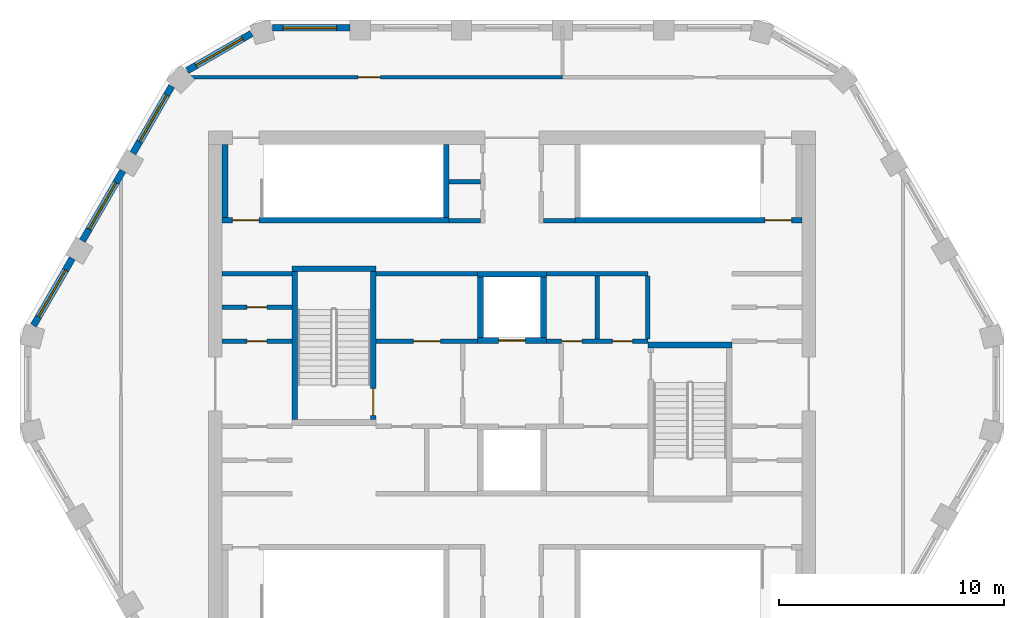
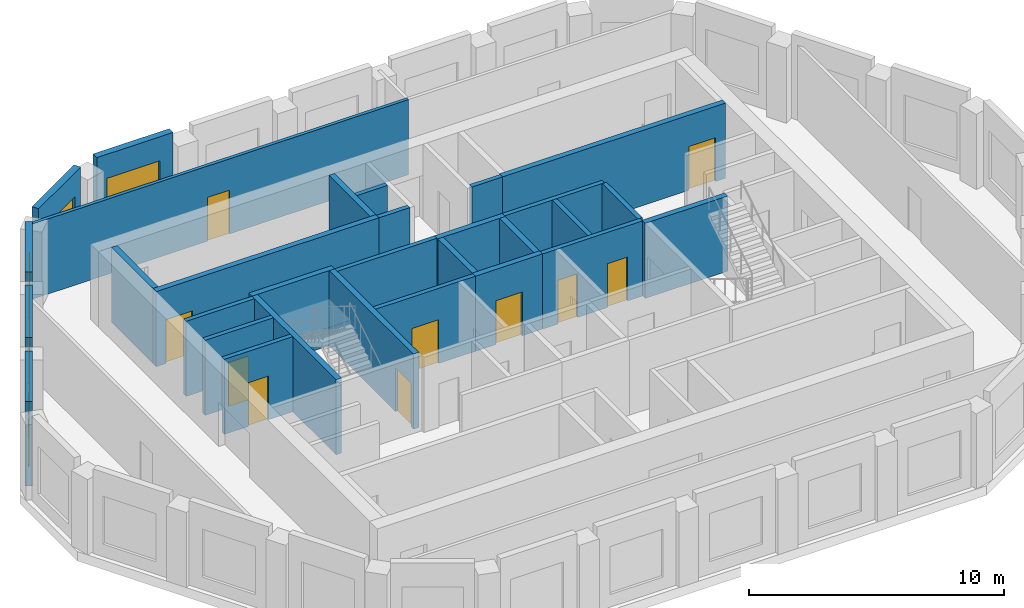
# One storey, part 3 of 6: 30 walls, 10 doors, 5 windows, 15 openings.
"""IFC4 building model written with IfcOpenShell, lengths in metres."""

from ifc_helpers import new_model, si_unit, direction, frame, frame_2d, origin, place, context, subcontext, project, spatial, polyline, rectangle, outline, extrude, material, layer, layer_set, type_object, element, fill, save


model = new_model("IFC4")

# Units and contexts
model_context = context("Model", 3, precision=1e-05, world=origin(), true_north=direction((0.0, 1.0)))
body_context = subcontext(model_context, "Body", "Model", "MODEL_VIEW")
ifc_project = project(units=[si_unit("LENGTHUNIT", "METRE"), si_unit("AREAUNIT", "SQUARE_METRE"), si_unit("VOLUMEUNIT", "CUBIC_METRE"), si_unit("PLANEANGLEUNIT", "RADIAN"), si_unit("MASSUNIT", "GRAM", prefix="KILO")], contexts=[model_context])

# Site, building, storey
site_placement = place(None, origin())
site = spatial("IfcSite", under=ifc_project, at=site_placement, CompositionType="ELEMENT")
building_placement = place(site_placement, origin())
building = spatial("IfcBuilding", under=site, at=building_placement, Name="Dhurran Vertical Campus", CompositionType="ELEMENT")
storey_placement = place(building_placement, frame((0.0, 0.0, 318.89990234375)))
storey = spatial("IfcBuildingStorey", under=building, at=storey_placement, Name="L78 Plant", CompositionType="ELEMENT", Elevation=318.89990234375)

# Wall, opening, window
ifc_material_1 = material(Name="Precast concrete C50/60", Category="concrete")
ifc_layer_1 = layer(ifc_material_1, 0.300048828125)
ifc_layer_set_1 = layer_set([ifc_layer_1], Name="Precast concrete C50/60")
wall_type_1 = type_object("IfcWallType", Name="Precast louvre-bay wall 300", PredefinedType="SOLIDWALL", material=ifc_layer_set_1)
wall_1_placement = place(storey_placement, frame((-7.200439453125, 15.84130859375, 0.0), z_axis=(0.0, 0.0, 1.0), x_axis=(-1.0, 0.0, 0.0)))
wall_1 = element("IfcWall", 1, at=wall_1_placement, inside=storey, type_object=wall_type_1, Name="EW3 L78.18", PredefinedType="SOLIDWALL", context=body_context, shape_type="SweptSolid", body=[
    extrude(rectangle(XDim=3.449462890625, YDim=0.300048828125, at=frame_2d((1.724609375, 0.0))), origin(), (0.0, 0.0, 1.0), 4.050048828125),
])
opening_1_placement = place(wall_1_placement, frame((0.599609375, 0.0, 0.60009765625)))
opening_1 = element("IfcOpeningElement", 2, at=opening_1_placement, cuts=wall_1, Name="Opening WT4", PredefinedType="OPENING", context=body_context, shape_type="SweptSolid", body=[
    extrude(rectangle(XDim=2.39990234375, YDim=2.300048828125, at=frame_2d((1.199951171875, 1.14990234375))), frame((0.0, 0.159912109375, 0.0), z_axis=(0.0, -1.0, 0.0), x_axis=(1.0, 0.0, 0.0)), (0.0, 0.0, 1.0), 0.320068359375),
])
ifc_material_2 = material(Name="Aluminium louvre", Category="aluminium")
window_type = type_object("IfcWindowType", Name="Louvred plant vent 2400 x 2300", PartitioningType="SINGLE_PANEL", PredefinedType="WINDOW", material=ifc_material_2)
window_1_placement = place(opening_1_placement, origin())
window_1 = element("IfcWindow", 3, at=window_1_placement, inside=storey, type_object=window_type, Name="WT4 L78.18", OverallHeight=2.300048828125, OverallWidth=2.39990234375, PartitioningType="SINGLE_PANEL", PredefinedType="WINDOW", context=body_context, shape_type="SweptSolid", body=[
    extrude(rectangle(XDim=2.39990234375, YDim=2.300048828125, at=frame_2d((1.199951171875, 1.14990234375))), frame((0.0, 0.030029296875, 0.0), z_axis=(0.0, -1.0, 0.0), x_axis=(1.0, 0.0, 0.0)), (0.0, 0.0, 1.0), 0.06005859375),
])
fill(opening_1, window_1)

wall_2_placement = place(storey_placement, frame((-11.5947265625, 15.588134765625, 0.0), z_axis=(0.0, 0.0, 1.0), x_axis=(-0.866021716278, -0.500006386895, 0.0)))
wall_2 = element("IfcWall", 4, at=wall_2_placement, inside=storey, type_object=wall_type_1, Name="EW3 L78.19", PredefinedType="SOLIDWALL", context=body_context, shape_type="SweptSolid", body=[
    extrude(rectangle(XDim=3.2998046875, YDim=0.300048828125, at=frame_2d((1.64990234375, 0.0))), origin(), (0.0, 0.0, 1.0), 4.050048828125),
])
opening_2_placement = place(wall_2_placement, frame((0.449951171875, 0.0, 0.60009765625)))
opening_2 = element("IfcOpeningElement", 5, at=opening_2_placement, cuts=wall_2, Name="Opening WT4", PredefinedType="OPENING", context=body_context, shape_type="SweptSolid", body=[
    extrude(rectangle(XDim=2.39990234375, YDim=2.300048828125, at=frame_2d((1.199951171875, 1.14990234375))), frame((0.0, 0.159912109375, 0.0), z_axis=(0.0, -1.0, 0.0), x_axis=(1.0, 0.0, 0.0)), (0.0, 0.0, 1.0), 0.320068359375),
])
window_2_placement = place(opening_2_placement, origin())
window_2 = element("IfcWindow", 6, at=window_2_placement, inside=storey, type_object=window_type, Name="WT4 L78.19", OverallHeight=2.300048828125, OverallWidth=2.39990234375, PartitioningType="SINGLE_PANEL", PredefinedType="WINDOW", context=body_context, shape_type="SweptSolid", body=[
    extrude(rectangle(XDim=2.39990234375, YDim=2.300048828125, at=frame_2d((1.199951171875, 1.14990234375))), frame((0.0, 0.030029296875, 0.0), z_axis=(0.0, -1.0, 0.0), x_axis=(1.0, 0.0, 0.0)), (0.0, 0.0, 1.0), 0.06005859375),
])
fill(opening_2, window_2)

wall_3_placement = place(storey_placement, frame((-15.14404296875, 13.24658203125, 0.0), z_axis=(0.0, 0.0, 1.0), x_axis=(-0.500059425018, -0.865991092016, 0.0)))
wall_3 = element("IfcWall", 7, at=wall_3_placement, inside=storey, type_object=wall_type_1, Name="EW3 L78.20", PredefinedType="SOLIDWALL", context=body_context, shape_type="SweptSolid", body=[
    extrude(rectangle(XDim=3.44921875, YDim=0.300048828125, at=frame_2d((1.724609375, 0.0))), origin(), (0.0, 0.0, 1.0), 4.050048828125),
])
opening_3_placement = place(wall_3_placement, frame((0.449951171875, 0.0, 0.60009765625)))
opening_3 = element("IfcOpeningElement", 8, at=opening_3_placement, cuts=wall_3, Name="Opening WT4", PredefinedType="OPENING", context=body_context, shape_type="SweptSolid", body=[
    extrude(rectangle(XDim=2.39990234375, YDim=2.300048828125, at=frame_2d((1.199951171875, 1.14990234375))), frame((0.0, 0.159912109375, 0.0), z_axis=(0.0, -1.0, 0.0), x_axis=(1.0, 0.0, 0.0)), (0.0, 0.0, 1.0), 0.320068359375),
])
window_3_placement = place(opening_3_placement, origin())
window_3 = element("IfcWindow", 9, at=window_3_placement, inside=storey, type_object=window_type, Name="WT4 L78.20", OverallHeight=2.300048828125, OverallWidth=2.39990234375, PartitioningType="SINGLE_PANEL", PredefinedType="WINDOW", context=body_context, shape_type="SweptSolid", body=[
    extrude(rectangle(XDim=2.39990234375, YDim=2.300048828125, at=frame_2d((1.199951171875, 1.14990234375))), frame((0.0, 0.030029296875, 0.0), z_axis=(0.0, -1.0, 0.0), x_axis=(1.0, 0.0, 0.0)), (0.0, 0.0, 1.0), 0.06005859375),
])
fill(opening_3, window_3)

wall_4_placement = place(storey_placement, frame((-17.3193359375, 9.47900390625, 0.0), z_axis=(0.0, 0.0, 1.0), x_axis=(-0.500027802648, -0.866009351323, 0.0)))
wall_4 = element("IfcWall", 10, at=wall_4_placement, inside=storey, type_object=wall_type_1, Name="EW3 L78.21", PredefinedType="SOLIDWALL", context=body_context, shape_type="SweptSolid", body=[
    extrude(rectangle(XDim=3.598876953125, YDim=0.300048828125, at=frame_2d((1.79931640625, 0.0))), origin(), (0.0, 0.0, 1.0), 4.050048828125),
])
opening_4_placement = place(wall_4_placement, frame((0.599609375, 0.0, 0.60009765625)))
opening_4 = element("IfcOpeningElement", 11, at=opening_4_placement, cuts=wall_4, Name="Opening WT4", PredefinedType="OPENING", context=body_context, shape_type="SweptSolid", body=[
    extrude(rectangle(XDim=2.39990234375, YDim=2.300048828125, at=frame_2d((1.199951171875, 1.14990234375))), frame((0.0, 0.159912109375, 0.0), z_axis=(0.0, -1.0, 0.0), x_axis=(1.0, 0.0, 0.0)), (0.0, 0.0, 1.0), 0.320068359375),
])
window_4_placement = place(opening_4_placement, origin())
window_4 = element("IfcWindow", 12, at=window_4_placement, inside=storey, type_object=window_type, Name="WT4 L78.21", OverallHeight=2.300048828125, OverallWidth=2.39990234375, PartitioningType="SINGLE_PANEL", PredefinedType="WINDOW", context=body_context, shape_type="SweptSolid", body=[
    extrude(rectangle(XDim=2.39990234375, YDim=2.300048828125, at=frame_2d((1.199951171875, 1.14990234375))), frame((0.0, 0.030029296875, 0.0), z_axis=(0.0, -1.0, 0.0), x_axis=(1.0, 0.0, 0.0)), (0.0, 0.0, 1.0), 0.06005859375),
])
fill(opening_4, window_4)

wall_5_placement = place(storey_placement, frame((-19.5693359375, 5.58203125, 0.0), z_axis=(0.0, 0.0, 1.0), x_axis=(-0.499975693202, -0.866039436866, 0.0)))
wall_5 = element("IfcWall", 13, at=wall_5_placement, inside=storey, type_object=wall_type_1, Name="EW3 L78.22", PredefinedType="SOLIDWALL", context=body_context, shape_type="SweptSolid", body=[
    extrude(rectangle(XDim=3.449462890625, YDim=0.300048828125, at=frame_2d((1.724609375, 0.0))), origin(), (0.0, 0.0, 1.0), 4.050048828125),
])
opening_5_placement = place(wall_5_placement, frame((0.599609375, 0.0, 0.60009765625)))
opening_5 = element("IfcOpeningElement", 14, at=opening_5_placement, cuts=wall_5, Name="Opening WT4", PredefinedType="OPENING", context=body_context, shape_type="SweptSolid", body=[
    extrude(rectangle(XDim=2.39990234375, YDim=2.300048828125, at=frame_2d((1.199951171875, 1.14990234375))), frame((0.0, 0.159912109375, 0.0), z_axis=(0.0, -1.0, 0.0), x_axis=(1.0, 0.0, 0.0)), (0.0, 0.0, 1.0), 0.320068359375),
])
window_5_placement = place(opening_5_placement, origin())
window_5 = element("IfcWindow", 15, at=window_5_placement, inside=storey, type_object=window_type, Name="WT4 L78.22", OverallHeight=2.300048828125, OverallWidth=2.39990234375, PartitioningType="SINGLE_PANEL", PredefinedType="WINDOW", context=body_context, shape_type="SweptSolid", body=[
    extrude(rectangle(XDim=2.39990234375, YDim=2.300048828125, at=frame_2d((1.199951171875, 1.14990234375))), frame((0.0, 0.030029296875, 0.0), z_axis=(0.0, -1.0, 0.0), x_axis=(1.0, 0.0, 0.0)), (0.0, 0.0, 1.0), 0.06005859375),
])
fill(opening_5, window_5)

# Walls
ifc_material_3 = material(Name="Fire-rated masonry blockwork", Category="masonry")
ifc_layer_2 = layer(ifc_material_3, 0.199951171875)
ifc_layer_set_2 = layer_set([ifc_layer_2], Name="Fire-rated masonry blockwork")
wall_type_2 = type_object("IfcWallType", Name="co-FIRE-PARTITION-200", PredefinedType="PARTITIONING", material=ifc_layer_set_2)
for number, where, z_axis, x_axis, name in (
    (16, (-2.800048828125, 7.25, 0.0), (0.0, 0.0, 1.0), (1.0, 0.0, 0.0), "Core partition sl-NW-S L78"),
    (17, (-2.800048828125, 9.0, 0.0), (0.0, 0.0, 1.0), (1.0, 0.0, 0.0), "Core partition sl-NW-cut0 L78"),
    (18, (1.39990234375, 7.25, 0.0), (0.0, 0.0, 1.0), (1.0, 0.0, 0.0), "Core partition sl-NE-S L78"),
):
    element("IfcWall", number, at=place(storey_placement, frame(where, z_axis=z_axis, x_axis=x_axis)), inside=storey, type_object=wall_type_2, Name=name, PredefinedType="PARTITIONING", context=body_context, shape_type="SweptSolid", body=[
        extrude(rectangle(XDim=1.400146484375, YDim=0.199951171875, at=frame_2d((0.7001953125, 0.0))), origin(), (0.0, 0.0, 1.0), 3.60009765625),
    ])

# Wall, opening, door
wall_6_placement = place(storey_placement, frame((-12.89990234375, 3.39990234375, 0.0), z_axis=(0.0, 0.0, 1.0), x_axis=(1.0, 0.0, 0.0)))
wall_6 = element("IfcWall", 19, at=wall_6_placement, inside=storey, type_object=wall_type_2, Name="Core partition fr-N0-c L78", PredefinedType="PARTITIONING", context=body_context, shape_type="SweptSolid", body=[
    extrude(rectangle(XDim=3.099853515625, YDim=0.199951171875, at=frame_2d((1.5498046875, 0.0))), origin(), (0.0, 0.0, 1.0), 3.60009765625),
])
opening_6_placement = place(wall_6_placement, frame((1.10009765625, 0.0, 0.0)))
opening_6 = element("IfcOpeningElement", 20, at=opening_6_placement, cuts=wall_6, Name="Opening CR78-C6", PredefinedType="OPENING", context=body_context, shape_type="SweptSolid", body=[
    extrude(rectangle(XDim=0.89990234375, YDim=2.10009765625, at=frame_2d((0.449951171875, 1.050048828125))), frame((0.0, 0.10986328125, 0.0), z_axis=(0.0, -1.0, 0.0), x_axis=(1.0, 0.0, 0.0)), (0.0, 0.0, 1.0), 0.219970703125),
])
ifc_material_4 = material(Name="Fire-rated timber door set", Category="wood")
door_type_1 = type_object("IfcDoorType", Name="co-D-ROOM 900x2100", OperationType="SINGLE_SWING_LEFT", PredefinedType="DOOR", material=ifc_material_4)
door_1_placement = place(opening_6_placement, origin())
door_1 = element("IfcDoor", 21, at=door_1_placement, inside=storey, type_object=door_type_1, Name="Housekeeping store door L78", OperationType="SINGLE_SWING_LEFT", OverallHeight=2.10009765625, OverallWidth=0.89990234375, PredefinedType="DOOR", context=body_context, shape_type="SweptSolid", body=[
    extrude(rectangle(XDim=0.89990234375, YDim=2.10009765625, at=frame_2d((0.449951171875, 1.050048828125))), frame((0.0, 0.02490234375, 0.0), z_axis=(0.0, -1.0, 0.0), x_axis=(1.0, 0.0, 0.0)), (0.0, 0.0, 1.0), 0.050048828125),
])
fill(opening_6, door_1)

wall_7_placement = place(storey_placement, frame((-12.89990234375, 1.89990234375, 0.0), z_axis=(0.0, 0.0, 1.0), x_axis=(1.0, 0.0, 0.0)))
wall_7 = element("IfcWall", 22, at=wall_7_placement, inside=storey, type_object=wall_type_2, Name="Core partition fr-N0-f L78", PredefinedType="PARTITIONING", context=body_context, shape_type="SweptSolid", body=[
    extrude(rectangle(XDim=3.099853515625, YDim=0.199951171875, at=frame_2d((1.5498046875, 0.0))), origin(), (0.0, 0.0, 1.0), 3.60009765625),
])
opening_7_placement = place(wall_7_placement, frame((1.10009765625, 0.0, 0.0)))
opening_7 = element("IfcOpeningElement", 23, at=opening_7_placement, cuts=wall_7, Name="Opening CR78-C7", PredefinedType="OPENING", context=body_context, shape_type="SweptSolid", body=[
    extrude(rectangle(XDim=0.89990234375, YDim=2.10009765625, at=frame_2d((0.449951171875, 1.050048828125))), frame((0.0, 0.10986328125, 0.0), z_axis=(0.0, -1.0, 0.0), x_axis=(1.0, 0.0, 0.0)), (0.0, 0.0, 1.0), 0.219970703125),
])
door_2_placement = place(opening_7_placement, origin())
door_2 = element("IfcDoor", 24, at=door_2_placement, inside=storey, type_object=door_type_1, Name="Cleaner's store door L78", OperationType="SINGLE_SWING_LEFT", OverallHeight=2.10009765625, OverallWidth=0.89990234375, PredefinedType="DOOR", context=body_context, shape_type="SweptSolid", body=[
    extrude(rectangle(XDim=0.89990234375, YDim=2.10009765625, at=frame_2d((0.449951171875, 1.050048828125))), frame((0.0, 0.02490234375, 0.0), z_axis=(0.0, -1.0, 0.0), x_axis=(1.0, 0.0, 0.0)), (0.0, 0.0, 1.0), 0.050048828125),
])
fill(opening_7, door_2)

# Wall
wall_8_placement = place(storey_placement, frame((-12.89990234375, 4.89990234375, 0.0), z_axis=(0.0, 0.0, 1.0), x_axis=(1.0, 0.0, 0.0)))
element("IfcWall", 25, at=wall_8_placement, inside=storey, type_object=wall_type_2, Name="Core partition fr-N0-b L78", PredefinedType="PARTITIONING", context=body_context, shape_type="SweptSolid", body=[
    extrude(rectangle(XDim=3.099853515625, YDim=0.199951171875, at=frame_2d((1.5498046875, 0.0))), origin(), (0.0, 0.0, 1.0), 3.60009765625),
])

# Wall, opening, door
wall_9_placement = place(storey_placement, frame((-6.050048828125, 1.89990234375, 0.0), z_axis=(0.0, 0.0, 1.0), x_axis=(1.0, 0.0, 0.0)))
wall_9 = element("IfcWall", 26, at=wall_9_placement, inside=storey, type_object=wall_type_2, Name="Core partition fr-N1-f L78", PredefinedType="PARTITIONING", context=body_context, shape_type="SweptSolid", body=[
    extrude(rectangle(XDim=4.525146484375, YDim=0.199951171875, at=frame_2d((2.2626953125, 0.0))), origin(), (0.0, 0.0, 1.0), 3.60009765625),
])
opening_8_placement = place(wall_9_placement, frame((1.66259765625, 0.0, 0.0)))
opening_8 = element("IfcOpeningElement", 27, at=opening_8_placement, cuts=wall_9, Name="Opening CR78-C8", PredefinedType="OPENING", context=body_context, shape_type="SweptSolid", body=[
    extrude(rectangle(XDim=1.199951171875, YDim=2.10009765625, at=frame_2d((0.60009765625, 1.050048828125))), frame((0.0, 0.10986328125, 0.0), z_axis=(0.0, -1.0, 0.0), x_axis=(1.0, 0.0, 0.0)), (0.0, 0.0, 1.0), 0.219970703125),
])
ifc_material_5 = material(Name="Fire-rated steel door set", Category="steel")
door_type_2 = type_object("IfcDoorType", Name="co-D-ROOM-PASSAGE 1200x2100", OperationType="SINGLE_SWING_RIGHT", PredefinedType="DOOR", material=ifc_material_5)
door_3_placement = place(opening_8_placement, origin())
door_3 = element("IfcDoor", 28, at=door_3_placement, inside=storey, type_object=door_type_2, Name="Plant room door L78", OperationType="SINGLE_SWING_RIGHT", OverallHeight=2.10009765625, OverallWidth=1.199951171875, PredefinedType="DOOR", context=body_context, shape_type="SweptSolid", body=[
    extrude(rectangle(XDim=1.199951171875, YDim=2.10009765625, at=frame_2d((0.60009765625, 1.050048828125))), frame((0.0, 0.02490234375, 0.0), z_axis=(0.0, -1.0, 0.0), x_axis=(1.0, 0.0, 0.0)), (0.0, 0.0, 1.0), 0.050048828125),
])
fill(opening_8, door_3)

# Walls
wall_10_placement = place(storey_placement, frame((-6.050048828125, 4.89990234375, 0.0), z_axis=(0.0, 0.0, 1.0), x_axis=(1.0, 0.0, 0.0)))
element("IfcWall", 29, at=wall_10_placement, inside=storey, type_object=wall_type_2, Name="Core partition fr-N1-b L78", PredefinedType="PARTITIONING", context=body_context, shape_type="SweptSolid", body=[
    extrude(rectangle(XDim=4.525146484375, YDim=0.199951171875, at=frame_2d((2.2626953125, 0.0))), origin(), (0.0, 0.0, 1.0), 3.60009765625),
])
wall_11_placement = place(storey_placement, frame((3.78759765625, 2.0, 0.0), z_axis=(0.0, 0.0, 1.0), x_axis=(0.0, 1.0, 0.0)))
element("IfcWall", 30, at=wall_11_placement, inside=storey, type_object=wall_type_2, Name="Core partition fr-N2-cut0 L78", PredefinedType="PARTITIONING", context=body_context, shape_type="SweptSolid", body=[
    extrude(rectangle(XDim=2.800048828125, YDim=0.199951171875, at=frame_2d((1.39990234375, 0.0))), origin(), (0.0, 0.0, 1.0), 3.60009765625),
])

# Wall, openings, doors
wall_12_placement = place(storey_placement, frame((1.52490234375, 1.89990234375, 0.0), z_axis=(0.0, 0.0, 1.0), x_axis=(1.0, 0.0, 0.0)))
wall_12 = element("IfcWall", 31, at=wall_12_placement, inside=storey, type_object=wall_type_2, Name="Core partition fr-N2-f L78", PredefinedType="PARTITIONING", context=body_context, shape_type="SweptSolid", body=[
    extrude(rectangle(XDim=4.525146484375, YDim=0.199951171875, at=frame_2d((2.2626953125, 0.0))), origin(), (0.0, 0.0, 1.0), 3.60009765625),
])
opening_9_placement = place(wall_12_placement, frame((0.68115234375, 0.0, 0.0)))
opening_9 = element("IfcOpeningElement", 32, at=opening_9_placement, cuts=wall_12, Name="Opening CR78-C9", PredefinedType="OPENING", context=body_context, shape_type="SweptSolid", body=[
    extrude(rectangle(XDim=0.89990234375, YDim=2.10009765625, at=frame_2d((0.449951171875, 1.050048828125))), frame((0.0, 0.10986328125, 0.0), z_axis=(0.0, -1.0, 0.0), x_axis=(1.0, 0.0, 0.0)), (0.0, 0.0, 1.0), 0.219970703125),
])
opening_10_placement = place(wall_12_placement, frame((2.94384765625, 0.0, 0.0)))
opening_10 = element("IfcOpeningElement", 33, at=opening_10_placement, cuts=wall_12, Name="Opening CR78-C10", PredefinedType="OPENING", context=body_context, shape_type="SweptSolid", body=[
    extrude(rectangle(XDim=0.89990234375, YDim=2.10009765625, at=frame_2d((0.449951171875, 1.050048828125))), frame((0.0, 0.10986328125, 0.0), z_axis=(0.0, -1.0, 0.0), x_axis=(1.0, 0.0, 0.0)), (0.0, 0.0, 1.0), 0.219970703125),
])
door_4_placement = place(opening_9_placement, origin())
door_4 = element("IfcDoor", 34, at=door_4_placement, inside=storey, type_object=door_type_1, Name="Print room door L78", OperationType="SINGLE_SWING_LEFT", OverallHeight=2.10009765625, OverallWidth=0.89990234375, PredefinedType="DOOR", context=body_context, shape_type="SweptSolid", body=[
    extrude(rectangle(XDim=0.89990234375, YDim=2.10009765625, at=frame_2d((0.449951171875, 1.050048828125))), frame((0.0, 0.02490234375, 0.0), z_axis=(0.0, -1.0, 0.0), x_axis=(1.0, 0.0, 0.0)), (0.0, 0.0, 1.0), 0.050048828125),
])
fill(opening_9, door_4)
door_5_placement = place(opening_10_placement, origin())
door_5 = element("IfcDoor", 35, at=door_5_placement, inside=storey, type_object=door_type_1, Name="Electrical riser door L78", OperationType="SINGLE_SWING_LEFT", OverallHeight=2.10009765625, OverallWidth=0.89990234375, PredefinedType="DOOR", context=body_context, shape_type="SweptSolid", body=[
    extrude(rectangle(XDim=0.89990234375, YDim=2.10009765625, at=frame_2d((0.449951171875, 1.050048828125))), frame((0.0, 0.02490234375, 0.0), z_axis=(0.0, -1.0, 0.0), x_axis=(1.0, 0.0, 0.0)), (0.0, 0.0, 1.0), 0.050048828125),
])
fill(opening_10, door_5)

# Walls
wall_13_placement = place(storey_placement, frame((1.52490234375, 4.89990234375, 0.0), z_axis=(0.0, 0.0, 1.0), x_axis=(1.0, 0.0, 0.0)))
element("IfcWall", 36, at=wall_13_placement, inside=storey, type_object=wall_type_2, Name="Core partition fr-N2-b L78", PredefinedType="PARTITIONING", context=body_context, shape_type="SweptSolid", body=[
    extrude(rectangle(XDim=4.525146484375, YDim=0.199951171875, at=frame_2d((2.2626953125, 0.0))), origin(), (0.0, 0.0, 1.0), 3.60009765625),
])
wall_14_placement = place(storey_placement, frame((6.050048828125, 2.0009765625, 0.0), z_axis=(0.0, 0.0, 1.0), x_axis=(0.0, 1.0, 0.0)))
element("IfcWall", 37, at=wall_14_placement, inside=storey, type_object=wall_type_2, Name="Riser enclosure wall L78", PredefinedType="PARTITIONING", context=body_context, shape_type="SweptSolid", body=[
    extrude(rectangle(XDim=2.798095703125, YDim=0.199951171875, at=frame_2d((1.39892578125, 0.0))), origin(), (0.0, 0.0, 1.0), 3.60009765625),
])

# Wall, opening, door
ifc_material_6 = material(Name="Concrete C50/60", Category="concrete")
ifc_layer_3 = layer(ifc_material_6, 0.25)
ifc_layer_set_3 = layer_set([ifc_layer_3], Name="Concrete C50/60")
wall_type_3 = type_object("IfcWallType", Name="co-SHAFT-FRONT-250", PredefinedType="SHEAR", material=ifc_layer_set_3)
wall_15_placement = place(storey_placement, frame((-1.52490234375, 1.925048828125, 0.0), z_axis=(0.0, 0.0, 1.0), x_axis=(1.0, 0.0, 0.0)))
wall_15 = element("IfcWall", 38, at=wall_15_placement, inside=storey, type_object=wall_type_3, Name="Lift landing wall N L78", PredefinedType="SHEAR", context=body_context, shape_type="SweptSolid", body=[
    extrude(rectangle(XDim=3.0498046875, YDim=0.25, at=frame_2d((1.52490234375, 0.0))), origin(), (0.0, 0.0, 1.0), 3.60009765625),
])
opening_11_placement = place(wall_15_placement, frame((0.925048828125, 0.0, 0.0)))
opening_11 = element("IfcOpeningElement", 39, at=opening_11_placement, cuts=wall_15, Name="Opening LD", PredefinedType="OPENING", context=body_context, shape_type="SweptSolid", body=[
    extrude(rectangle(XDim=1.199951171875, YDim=2.10009765625, at=frame_2d((0.60009765625, 1.050048828125))), frame((0.0, 0.135009765625, 0.0), z_axis=(0.0, -1.0, 0.0), x_axis=(1.0, 0.0, 0.0)), (0.0, 0.0, 1.0), 0.27001953125),
])
ifc_material_7 = material(Name="Stainless steel landing door", Category="steel")
door_type_3 = type_object("IfcDoorType", Name="co-D-LANDING 1200x2100", OperationType="DOUBLE_DOOR_SLIDING", PredefinedType="DOOR", material=ifc_material_7)
door_6_placement = place(opening_11_placement, origin())
door_6 = element("IfcDoor", 40, at=door_6_placement, inside=storey, type_object=door_type_3, Name="Landing door FF1 L78", OperationType="DOUBLE_DOOR_SLIDING", OverallHeight=2.10009765625, OverallWidth=1.199951171875, PredefinedType="DOOR", context=body_context, shape_type="SweptSolid", body=[
    extrude(rectangle(XDim=1.199951171875, YDim=2.10009765625, at=frame_2d((0.60009765625, 1.050048828125))), frame((0.0, 0.02490234375, 0.0), z_axis=(0.0, -1.0, 0.0), x_axis=(1.0, 0.0, 0.0)), (0.0, 0.0, 1.0), 0.050048828125),
])
fill(opening_11, door_6)

# Walls
ifc_material_8 = material(Name="Concrete C50/60", Category="concrete")
ifc_layer_4 = layer(ifc_material_8, 0.25)
ifc_layer_set_4 = layer_set([ifc_layer_4], Name="Concrete C50/60")
wall_type_4 = type_object("IfcWallType", Name="co-SHAFT-MASS-250", PredefinedType="SHEAR", material=ifc_layer_set_4)
wall_16_placement = place(storey_placement, origin())
element("IfcWall", 41, at=wall_16_placement, inside=storey, type_object=wall_type_4, Name="Lift shaft wall N L78 1", PredefinedType="SHEAR", context=body_context, shape_type="SweptSolid", body=[
    extrude(outline(polyline([(-1.52490234375, 4.75), (1.52490234375, 4.75), (1.52490234375, 5.0), (-1.52490234375, 5.0), (-1.52490234375, 4.75)])), origin(), (0.0, 0.0, 1.0), 3.60009765625),
])
wall_17_placement = place(storey_placement, origin())
element("IfcWall", 42, at=wall_17_placement, inside=storey, type_object=wall_type_4, Name="Lift shaft wall N L78 2", PredefinedType="SHEAR", context=body_context, shape_type="SweptSolid", body=[
    extrude(outline(polyline([(-1.52490234375, 2.050048828125), (-1.27490234375, 2.050048828125), (-1.27490234375, 4.75), (-1.52490234375, 4.75), (-1.52490234375, 2.050048828125)])), origin(), (0.0, 0.0, 1.0), 3.60009765625),
])
wall_18_placement = place(storey_placement, origin())
element("IfcWall", 43, at=wall_18_placement, inside=storey, type_object=wall_type_4, Name="Lift shaft wall N L78 3", PredefinedType="SHEAR", context=body_context, shape_type="SweptSolid", body=[
    extrude(outline(polyline([(1.27490234375, 2.050048828125), (1.52490234375, 2.050048828125), (1.52490234375, 4.75), (1.27490234375, 4.75), (1.27490234375, 2.050048828125)])), origin(), (0.0, 0.0, 1.0), 3.60009765625),
])

# Wall, opening, door
ifc_material_9 = material(Name="Concrete C40/50", Category="concrete")
ifc_layer_5 = layer(ifc_material_9, 0.25)
ifc_layer_set_5 = layer_set([ifc_layer_5], Name="Concrete C40/50")
wall_type_5 = type_object("IfcWallType", Name="co-STAIR-WALL-250", PredefinedType="SHEAR", material=ifc_layer_set_5)
wall_19_placement = place(storey_placement, frame((-12.89990234375, 7.27490234375, 0.0), z_axis=(0.0, 0.0, 1.0), x_axis=(1.0, 0.0, 0.0)))
wall_19 = element("IfcWall", 44, at=wall_19_placement, inside=storey, type_object=wall_type_5, Name="Stair ST1 enclosure wall L78", PredefinedType="SHEAR", context=body_context, shape_type="SweptSolid", body=[
    extrude(rectangle(XDim=10.099853515625, YDim=0.25, at=frame_2d((5.0498046875, 0.0))), origin(), (0.0, 0.0, 1.0), 3.60009765625),
])
opening_12_placement = place(wall_19_placement, frame((0.449951171875, 0.0, 0.0)))
opening_12 = element("IfcOpeningElement", 45, at=opening_12_placement, cuts=wall_19, Name="Opening SD1", PredefinedType="OPENING", context=body_context, shape_type="SweptSolid", body=[
    extrude(rectangle(XDim=1.199951171875, YDim=2.10009765625, at=frame_2d((0.60009765625, 1.050048828125))), frame((0.0, 0.135009765625, 0.0), z_axis=(0.0, -1.0, 0.0), x_axis=(1.0, 0.0, 0.0)), (0.0, 0.0, 1.0), 0.27001953125),
])
ifc_material_10 = material(Name="Fire-rated steel door set", Category="steel")
door_type_4 = type_object("IfcDoorType", Name="co-D-STAIR 1200x2100", OperationType="SINGLE_SWING_LEFT", PredefinedType="DOOR", material=ifc_material_10)
door_7_placement = place(opening_12_placement, origin())
door_7 = element("IfcDoor", 46, at=door_7_placement, inside=storey, type_object=door_type_4, Name="Stair ST1 door L78", OperationType="SINGLE_SWING_LEFT", OverallHeight=2.10009765625, OverallWidth=1.199951171875, PredefinedType="DOOR", context=body_context, shape_type="SweptSolid", body=[
    extrude(rectangle(XDim=1.199951171875, YDim=2.10009765625, at=frame_2d((0.60009765625, 1.050048828125))), frame((0.0, 0.02490234375, 0.0), z_axis=(0.0, -1.0, 0.0), x_axis=(1.0, 0.0, 0.0)), (0.0, 0.0, 1.0), 0.050048828125),
])
fill(opening_12, door_7)

# Walls
for number, where, z_axis, x_axis, name in (
    (47, (-12.77490234375, 7.39990234375, 0.0), (0.0, 0.0, 1.0), (0.0, 1.0, 0.0), "Stair ST1 enclosure wall L78"),
    (48, (-2.925048828125, 7.39990234375, 0.0), (0.0, 0.0, 1.0), (0.0, 1.0, 0.0), "Stair ST1 enclosure wall L78"),
):
    element("IfcWall", number, at=place(storey_placement, frame(where, z_axis=z_axis, x_axis=x_axis)), inside=storey, type_object=wall_type_5, Name=name, PredefinedType="SHEAR", context=body_context, shape_type="SweptSolid", body=[
        extrude(rectangle(XDim=3.25, YDim=0.25, at=frame_2d((1.625, 0.0))), origin(), (0.0, 0.0, 1.0), 3.60009765625),
    ])

# Wall, opening, door
wall_20_placement = place(storey_placement, frame((2.800048828125, 7.27490234375, 0.0), z_axis=(0.0, 0.0, 1.0), x_axis=(1.0, 0.0, 0.0)))
wall_20 = element("IfcWall", 49, at=wall_20_placement, inside=storey, type_object=wall_type_5, Name="Stair ST2 enclosure wall L78", PredefinedType="SHEAR", context=body_context, shape_type="SweptSolid", body=[
    extrude(rectangle(XDim=10.099853515625, YDim=0.25, at=frame_2d((5.0498046875, 0.0))), origin(), (0.0, 0.0, 1.0), 3.60009765625),
])
opening_13_placement = place(wall_20_placement, frame((8.449951171875, 0.0, 0.0)))
opening_13 = element("IfcOpeningElement", 50, at=opening_13_placement, cuts=wall_20, Name="Opening SD2", PredefinedType="OPENING", context=body_context, shape_type="SweptSolid", body=[
    extrude(rectangle(XDim=1.199951171875, YDim=2.10009765625, at=frame_2d((0.60009765625, 1.050048828125))), frame((0.0, 0.135009765625, 0.0), z_axis=(0.0, -1.0, 0.0), x_axis=(1.0, 0.0, 0.0)), (0.0, 0.0, 1.0), 0.27001953125),
])
door_8_placement = place(opening_13_placement, origin())
door_8 = element("IfcDoor", 51, at=door_8_placement, inside=storey, type_object=door_type_4, Name="Stair ST2 door L78", OperationType="SINGLE_SWING_LEFT", OverallHeight=2.10009765625, OverallWidth=1.199951171875, PredefinedType="DOOR", context=body_context, shape_type="SweptSolid", body=[
    extrude(rectangle(XDim=1.199951171875, YDim=2.10009765625, at=frame_2d((0.60009765625, 1.050048828125))), frame((0.0, 0.02490234375, 0.0), z_axis=(0.0, -1.0, 0.0), x_axis=(1.0, 0.0, 0.0)), (0.0, 0.0, 1.0), 0.050048828125),
])
fill(opening_13, door_8)

# Walls
wall_21_placement = place(storey_placement, frame((-9.800048828125, 5.125, 0.0), z_axis=(0.0, 0.0, 1.0), x_axis=(1.0, 0.0, 0.0)))
element("IfcWall", 52, at=wall_21_placement, inside=storey, type_object=wall_type_5, Name="Stair ST5 enclosure wall L78", PredefinedType="SHEAR", context=body_context, shape_type="SweptSolid", body=[
    extrude(rectangle(XDim=3.75, YDim=0.25, at=frame_2d((1.875, 0.0))), origin(), (0.0, 0.0, 1.0), 3.60009765625),
])
wall_22_placement = place(storey_placement, frame((-9.675048828125, -1.60009765625, 0.0), z_axis=(0.0, 0.0, 1.0), x_axis=(0.0, 1.0, 0.0)))
element("IfcWall", 53, at=wall_22_placement, inside=storey, type_object=wall_type_5, Name="Stair ST5 enclosure wall L78", PredefinedType="SHEAR", context=body_context, shape_type="SweptSolid", body=[
    extrude(rectangle(XDim=6.60009765625, YDim=0.25, at=frame_2d((3.300048828125, 0.0))), origin(), (0.0, 0.0, 1.0), 3.60009765625),
])

# Wall, opening, door
wall_23_placement = place(storey_placement, frame((-6.175048828125, -1.60009765625, 0.0), z_axis=(0.0, 0.0, 1.0), x_axis=(0.0, 1.0, 0.0)))
wall_23 = element("IfcWall", 54, at=wall_23_placement, inside=storey, type_object=wall_type_5, Name="Stair ST5 enclosure wall L78", PredefinedType="SHEAR", context=body_context, shape_type="SweptSolid", body=[
    extrude(rectangle(XDim=6.60009765625, YDim=0.25, at=frame_2d((3.300048828125, 0.0))), origin(), (0.0, 0.0, 1.0), 3.60009765625),
])
opening_14_placement = place(wall_23_placement, frame((0.199951171875, 0.0, 0.0)))
opening_14 = element("IfcOpeningElement", 55, at=opening_14_placement, cuts=wall_23, Name="Opening SD5", PredefinedType="OPENING", context=body_context, shape_type="SweptSolid", body=[
    extrude(rectangle(XDim=1.199951171875, YDim=2.10009765625, at=frame_2d((0.60009765625, 1.050048828125))), frame((0.0, 0.135009765625, 0.0), z_axis=(0.0, -1.0, 0.0), x_axis=(1.0, 0.0, 0.0)), (0.0, 0.0, 1.0), 0.27001953125),
])
door_9_placement = place(opening_14_placement, origin())
door_9 = element("IfcDoor", 56, at=door_9_placement, inside=storey, type_object=door_type_4, Name="Stair ST5 door L78", OperationType="SINGLE_SWING_LEFT", OverallHeight=2.10009765625, OverallWidth=1.199951171875, PredefinedType="DOOR", context=body_context, shape_type="SweptSolid", body=[
    extrude(rectangle(XDim=1.199951171875, YDim=2.10009765625, at=frame_2d((0.60009765625, 1.050048828125))), frame((0.0, 0.02490234375, 0.0), z_axis=(0.0, -1.0, 0.0), x_axis=(1.0, 0.0, 0.0)), (0.0, 0.0, 1.0), 0.050048828125),
])
fill(opening_14, door_9)

# Wall
wall_24_placement = place(storey_placement, frame((6.050048828125, 1.72509765625, 0.0), z_axis=(0.0, 0.0, 1.0), x_axis=(1.0, 0.0, 0.0)))
element("IfcWall", 57, at=wall_24_placement, inside=storey, type_object=wall_type_5, Name="Stair ST6 enclosure wall L78", PredefinedType="SHEAR", context=body_context, shape_type="SweptSolid", body=[
    extrude(rectangle(XDim=3.75, YDim=0.25, at=frame_2d((1.875, 0.0))), origin(), (0.0, 0.0, 1.0), 3.60009765625),
])

# Wall, opening, door
ifc_material_11 = material(Name="Gypsum board corridor wall on steel studs", Category="steel")
ifc_layer_6 = layer(ifc_material_11, 0.14990234375)
ifc_layer_set_6 = layer_set([ifc_layer_6], Name="Gypsum board corridor wall on steel studs")
wall_type_6 = type_object("IfcWallType", Name="fl-CW-150 corridor wall", PredefinedType="PARTITIONING", material=ifc_layer_set_6)
wall_25_placement = place(storey_placement, frame((2.25, 13.64990234375, 0.0), z_axis=(0.0, 0.0, 1.0), x_axis=(-1.0, 0.0, 0.0)))
wall_25 = element("IfcWall", 58, at=wall_25_placement, inside=storey, type_object=wall_type_6, Name="Partition 78-03", PredefinedType="PARTITIONING", context=body_context, shape_type="SweptSolid", body=[
    extrude(rectangle(XDim=17.218994140625, YDim=0.14990234375, at=frame_2d((8.609375, 0.0))), origin(), (0.0, 0.0, 1.0), 3.60009765625),
])
opening_15_placement = place(wall_25_placement, frame((8.109619140625, 0.0, 0.0)))
opening_15 = element("IfcOpeningElement", 59, at=opening_15_placement, cuts=wall_25, Name="Opening CR78.02", PredefinedType="OPENING", context=body_context, shape_type="SweptSolid", body=[
    extrude(rectangle(XDim=1.0, YDim=2.10009765625, at=frame_2d((0.5, 1.050048828125))), frame((0.0, 0.0849609375, 0.0), z_axis=(0.0, -1.0, 0.0), x_axis=(1.0, 0.0, 0.0)), (0.0, 0.0, 1.0), 0.169921875),
])
ifc_material_12 = material(Name="Solid-core timber door set, fire-rated", Category="wood")
door_type_5 = type_object("IfcDoorType", Name="fl-D-1000x2100", OperationType="SINGLE_SWING_LEFT", PredefinedType="DOOR", material=ifc_material_12)
door_10_placement = place(opening_15_placement, origin())
door_10 = element("IfcDoor", 60, at=door_10_placement, inside=storey, type_object=door_type_5, Name="Door 78.02", OperationType="SINGLE_SWING_RIGHT", OverallHeight=2.10009765625, OverallWidth=1.0, PredefinedType="DOOR", context=body_context, shape_type="SweptSolid", body=[
    extrude(rectangle(XDim=1.0, YDim=2.10009765625, at=frame_2d((0.5, 1.050048828125))), frame((0.0, 0.02490234375, 0.0), z_axis=(0.0, -1.0, 0.0), x_axis=(1.0, 0.0, 0.0)), (0.0, 0.0, 1.0), 0.050048828125),
])
fill(opening_15, door_10)

save(model, "model.ifc")
